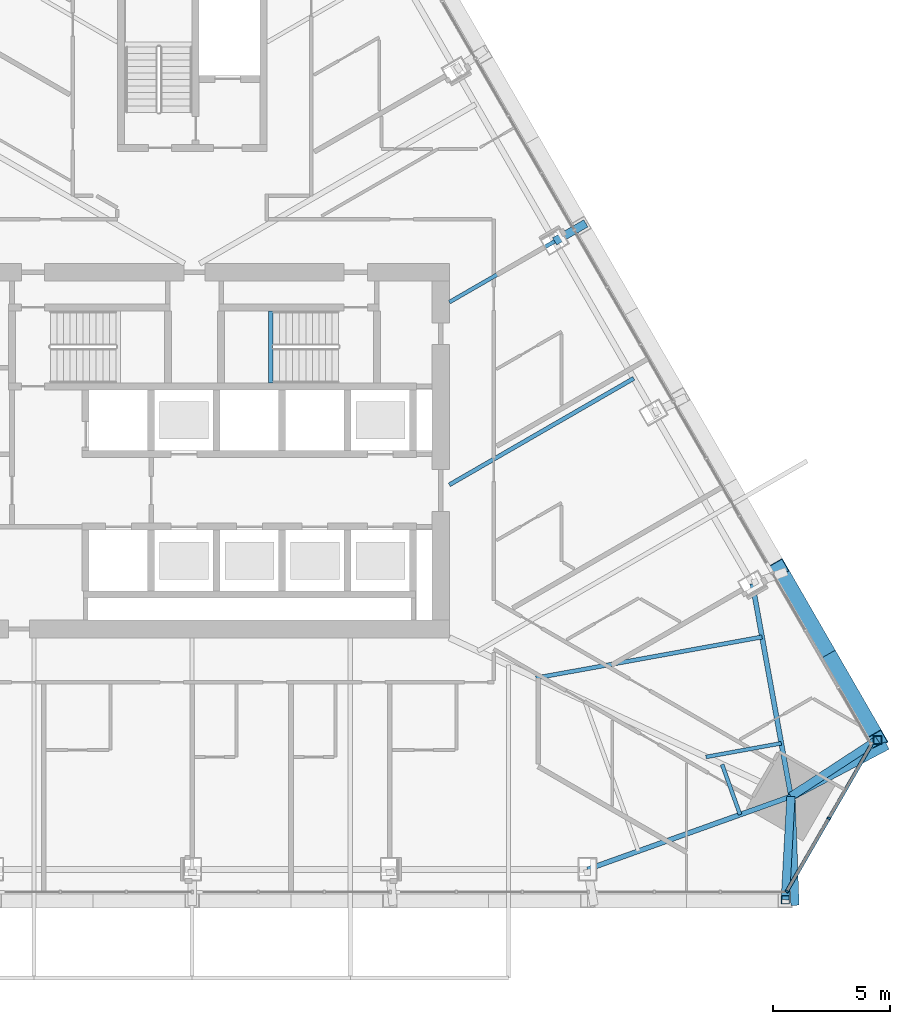
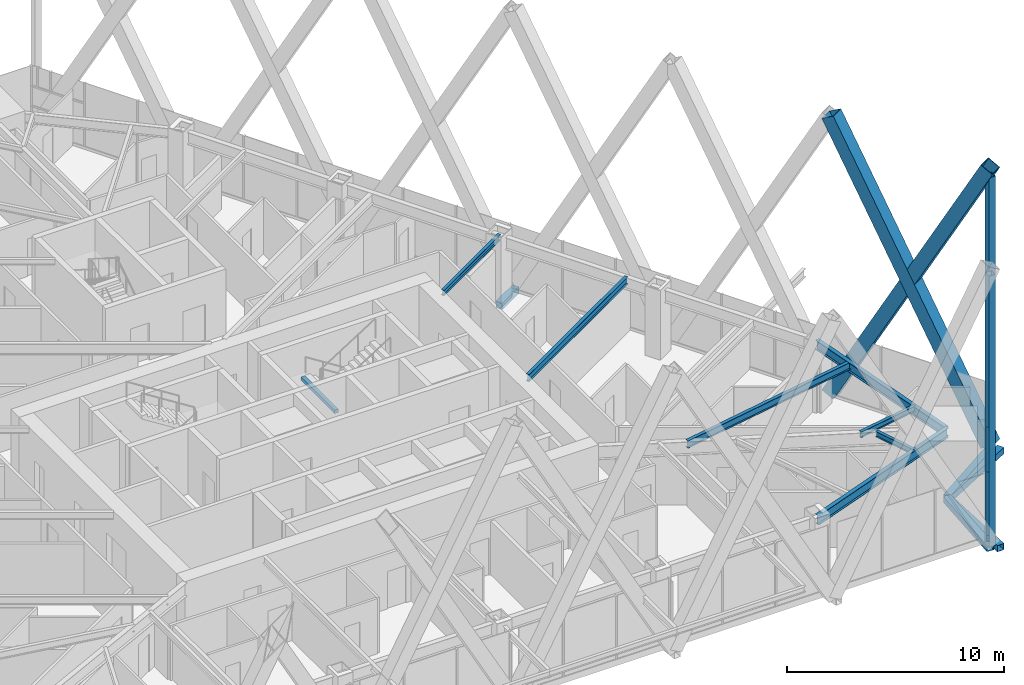
# One storey, part 7 of 19: 12 members, 8 beams, 1 element without a shape of its own.
"""IFC4 building model written with IfcOpenShell, lengths in metres."""

from ifc_helpers import new_model, si_unit, direction, frame, origin, origin_2d, place, context, subcontext, project, spatial, rectangle, hollow_rectangle, i_section, extrude, material, layer, layer_set, material_profile, profile_set, type_object, element, aggregate, save


model = new_model("IFC4")

# Units and contexts
model_context = context("Model", 3, precision=1e-05, world=origin(), true_north=direction((0.0, 1.0)))
body_context = subcontext(model_context, "Body", "Model", "MODEL_VIEW")
ifc_project = project(units=[si_unit("LENGTHUNIT", "METRE"), si_unit("AREAUNIT", "SQUARE_METRE"), si_unit("VOLUMEUNIT", "CUBIC_METRE"), si_unit("PLANEANGLEUNIT", "RADIAN"), si_unit("MASSUNIT", "GRAM", prefix="KILO")], contexts=[model_context])

# Site, building, storey
site_placement = place(None, origin())
site = spatial("IfcSite", under=ifc_project, at=site_placement, CompositionType="ELEMENT")
building_placement = place(site_placement, origin())
building = spatial("IfcBuilding", under=site, at=building_placement, Name="Firuza Gate Tower and Library", CompositionType="ELEMENT")
storey_placement = place(building_placement, frame((0.0, 0.0, 218.199951171875)))
storey = spatial("IfcBuildingStorey", under=building, at=storey_placement, Name="L51", CompositionType="ELEMENT", Elevation=218.199951171875)

# Members
ifc_material_1 = material(Name="Steel S355", Category="steel")
ifc_material_profile_1 = material_profile(ifc_material_1, hollow_rectangle(XDim=0.699951171875, YDim=0.699951171875, WallThickness=0.030029296875, at=origin_2d()))
ifc_profile_set_1 = profile_set([ifc_material_profile_1], Name="Steel S355")
member_type_1 = type_object("IfcMemberType", Name="BU700x700x30 Lattice brace", PredefinedType="BRACE", material=ifc_profile_set_1)
for number, where, z_axis, x_axis, name in (
    (1, (104.3134765625, 62.6328125, 0.0), (-0.238274557402, 0.412680856607, 0.879158544225), (-0.866013450987, -0.50002070228, 0.0), "Lattice brace E 12.1R"),
    (2, (100.08544921875, 69.95556640625, 0.0), (0.238274557402, -0.412680856607, 0.879158544225), (0.866013450987, 0.50002070228, 0.0), "Lattice brace E 12.1L"),
):
    element("IfcMember", number, at=place(storey_placement, frame(where, z_axis=z_axis, x_axis=x_axis)), inside=storey, type_object=member_type_1, Name=name, PredefinedType="BRACE", context=body_context, shape_type="SweptSolid", body=[
        extrude(hollow_rectangle(XDim=0.699951171875, YDim=0.699951171875, WallThickness=0.030029296875, at=origin_2d()), origin(), (0.0, 0.0, 1.0), 17.744384765625),
    ])

# Curtain wall, members
ifc_material_2 = material(Name="Aluminium 6063-T6", Category="aluminium")
ifc_layer = layer(ifc_material_2, 0.14990234375)
ifc_layer_set = layer_set([ifc_layer], Name="Corner curtain wall, chamfers")
curtain_wall_type = type_object("IfcCurtainWallType", Name="Corner curtain wall, chamfers", PredefinedType="NOTDEFINED", material=ifc_layer_set)
curtain_wall_placement = place(storey_placement, origin())
curtain_wall = element("IfcCurtainWall", 3, at=curtain_wall_placement, inside=storey, type_object=curtain_wall_type, Name="CW4 L51 SE corner", PredefinedType="NOTDEFINED")
ifc_material_3 = material(Name="Aluminium 6063-T6", Category="aluminium")
ifc_material_profile_2 = material_profile(ifc_material_3, rectangle(XDim=0.14990234375, YDim=0.080078125, at=origin_2d()))
ifc_profile_set_2 = profile_set([ifc_material_profile_2], Name="Aluminium 6063-T6")
member_type_2 = type_object("IfcMemberType", Name="Curtain wall mullion 80x150", PredefinedType="MULLION", material=ifc_profile_set_2)
member_1_placement = place(storey_placement, frame((100.43017578125, 56.156982421875, 0.150146484375), z_axis=(0.0, 0.0, 1.0), x_axis=(-0.866025403784, 0.5, 0.0)))
member_1 = element("IfcMember", 4, at=member_1_placement, type_object=member_type_2, Name="Mullion", PredefinedType="MULLION", context=body_context, shape_type="SweptSolid", body=[
    extrude(rectangle(XDim=0.14990234375, YDim=0.080078125, at=origin_2d()), origin(), (0.0, 0.0, 1.0), 3.5498046875),
])
member_2_placement = place(storey_placement, frame((102.23193359375, 59.277587890625, 0.150146484375), z_axis=(0.0, 0.0, 1.0), x_axis=(-0.866025403784, 0.5, 0.0)))
member_2 = element("IfcMember", 5, at=member_2_placement, type_object=member_type_2, Name="Mullion", PredefinedType="MULLION", context=body_context, shape_type="SweptSolid", body=[
    extrude(rectangle(XDim=0.14990234375, YDim=0.080078125, at=origin_2d()), origin(), (0.0, 0.0, 1.0), 3.5498046875),
])
ifc_material_4 = material(Name="Aluminium 6063-T6", Category="aluminium")
ifc_material_profile_3 = material_profile(ifc_material_4, rectangle(XDim=0.14990234375, YDim=0.35009765625, at=origin_2d()))
ifc_profile_set_3 = profile_set([ifc_material_profile_3], Name="Aluminium 6063-T6")
member_type_3 = type_object("IfcMemberType", Name="Curtain wall transom 350x150", PredefinedType="USERDEFINED", material=ifc_profile_set_3)
member_3_placement = place(storey_placement, frame((100.410400390625, 56.12255859375, -0.02490234375), z_axis=(0.500005719219, 0.866022101766, 0.0), x_axis=(-0.866022101766, 0.500005719219, 0.0)))
member_3 = element("IfcMember", 6, at=member_3_placement, type_object=member_type_3, Name="Transom", ObjectType="TRANSOM", PredefinedType="USERDEFINED", context=body_context, shape_type="SweptSolid", body=[
    extrude(rectangle(XDim=0.14990234375, YDim=0.35009765625, at=origin_2d()), origin(), (0.0, 0.0, 1.0), 7.28662109375),
])
aggregate(curtain_wall, [member_1, member_2, member_3])

# Members
ifc_material_5 = material(Name="Steel S355", Category="steel")
ifc_material_profile_4 = material_profile(ifc_material_5, hollow_rectangle(XDim=0.355712890625, YDim=0.355712890625, WallThickness=0.014892578125, at=origin_2d()))
ifc_profile_set_4 = profile_set([ifc_material_profile_4], Name="Steel S355")
member_type_4 = type_object("IfcMemberType", Name="HSS356x356x16 Lattice corner stile", PredefinedType="BRACE", material=ifc_profile_set_4)
for number, where, z_axis, x_axis, name in (
    (7, (100.366943359375, 55.79736328125, -0.139892578125), (0.0, 0.0, 1.0), (1.0, 0.0, 0.0), "Lattice corner stile S 12.B"),
    (8, (104.3134765625, 62.6328125, -0.139892578125), (0.0, 0.0, 1.0), (1.0, 0.0, 0.0), "Lattice corner stile E 12.A"),
):
    element("IfcMember", number, at=place(storey_placement, frame(where, z_axis=z_axis, x_axis=x_axis)), inside=storey, type_object=member_type_4, Name=name, PredefinedType="BRACE", context=body_context, shape_type="SweptSolid", body=[
        extrude(hollow_rectangle(XDim=0.355712890625, YDim=0.355712890625, WallThickness=0.014892578125, at=origin_2d()), origin(), (0.0, 0.0, 1.0), 15.239990234375),
    ])
ifc_material_6 = material(Name="Steel S355", Category="steel")
ifc_material_profile_5 = material_profile(ifc_material_6, hollow_rectangle(XDim=0.355712890625, YDim=0.355712890625, WallThickness=0.014892578125, at=origin_2d()))
ifc_profile_set_5 = profile_set([ifc_material_profile_5], Name="Steel S355")
member_type_5 = type_object("IfcMemberType", Name="HSS356x356x16 Lattice node tie", PredefinedType="BRACE", material=ifc_profile_set_5)
member_4_placement = place(storey_placement, frame((90.504150390625, 83.951171875, -0.320068359375), z_axis=(0.865939883869, 0.500148095592, 0.0), x_axis=(-0.500148095592, 0.865939883869, 0.0)))
element("IfcMember", 9, at=member_4_placement, inside=storey, type_object=member_type_5, Name="Lattice node tie E L51 266", PredefinedType="BRACE", context=body_context, shape_type="SweptSolid", body=[
    extrude(hollow_rectangle(XDim=0.355712890625, YDim=0.355712890625, WallThickness=0.014892578125, at=origin_2d()), origin(), (0.0, 0.0, 1.0), 1.5390625),
])
member_5_placement = place(storey_placement, frame((100.608154296875, 60.215087890625, -0.320068359375), z_axis=(0.883999373818, 0.467488082296, 0.0), x_axis=(-0.467488082296, 0.883999373818, 0.0)))
element("IfcMember", 10, at=member_5_placement, inside=storey, type_object=member_type_5, Name="Lattice node tie E L51 269", PredefinedType="BRACE", context=body_context, shape_type="SweptSolid", body=[
    extrude(hollow_rectangle(XDim=0.355712890625, YDim=0.355712890625, WallThickness=0.014892578125, at=origin_2d()), origin(), (0.0, 0.0, 1.0), 4.659912109375),
])
member_6_placement = place(storey_placement, frame((100.608154296875, 60.215087890625, -0.320068359375), z_axis=(0.837485429113, 0.546459656355, 0.0), x_axis=(-0.546459656355, 0.837485429113, 0.0)))
element("IfcMember", 11, at=member_6_placement, inside=storey, type_object=member_type_5, Name="Lattice node tie E L51 270", PredefinedType="BRACE", context=body_context, shape_type="SweptSolid", body=[
    extrude(hollow_rectangle(XDim=0.355712890625, YDim=0.355712890625, WallThickness=0.014892578125, at=origin_2d()), origin(), (0.0, 0.0, 1.0), 4.42431640625),
])
member_7_placement = place(storey_placement, frame((100.608154296875, 60.215087890625, -0.320068359375), z_axis=(0.037145365408, -0.999309872777, 0.0), x_axis=(0.999309872777, 0.037145365408, 0.0)))
element("IfcMember", 12, at=member_7_placement, inside=storey, type_object=member_type_5, Name="Lattice node tie S L51 278", PredefinedType="BRACE", context=body_context, shape_type="SweptSolid", body=[
    extrude(hollow_rectangle(XDim=0.355712890625, YDim=0.355712890625, WallThickness=0.014892578125, at=origin_2d()), origin(), (0.0, 0.0, 1.0), 4.659912109375),
])
member_8_placement = place(storey_placement, frame((100.608154296875, 60.215087890625, -0.320068359375), z_axis=(-0.054519511079, -0.998512705433, 0.0), x_axis=(0.998512705433, -0.054519511079, 0.0)))
element("IfcMember", 13, at=member_8_placement, inside=storey, type_object=member_type_5, Name="Lattice node tie S L51 279", PredefinedType="BRACE", context=body_context, shape_type="SweptSolid", body=[
    extrude(hollow_rectangle(XDim=0.355712890625, YDim=0.355712890625, WallThickness=0.014892578125, at=origin_2d()), origin(), (0.0, 0.0, 1.0), 4.42431640625),
])

# Beams
ifc_material_7 = material(Name="Concrete C35/45", Category="concrete")
ifc_material_profile_6 = material_profile(ifc_material_7, rectangle(XDim=0.199951171875, YDim=0.199951171875, at=origin_2d()))
ifc_profile_set_6 = profile_set([ifc_material_profile_6], Name="Concrete C35/45")
beam_type_1 = type_object("IfcBeamType", Name="Stair landing bearer 200x200", PredefinedType="BEAM", material=ifc_profile_set_6)
beam_1_placement = place(storey_placement, frame((78.360107421875, 80.97998046875, 1.650146484375), z_axis=(0.0, -1.0, 0.0), x_axis=(1.0, 0.0, 0.0)))
element("IfcBeam", 14, at=beam_1_placement, inside=storey, type_object=beam_type_1, Name="Landing bearer L51 stair 2", PredefinedType="BEAM", context=body_context, shape_type="SweptSolid", body=[
    extrude(rectangle(XDim=0.199951171875, YDim=0.199951171875, at=origin_2d()), origin(), (0.0, 0.0, 1.0), 3.080078125),
])
ifc_material_8 = material(Name="Steel S355", Category="steel")
ifc_material_profile_7 = material_profile(ifc_material_8, i_section(OverallWidth=0.1650390625, OverallDepth=0.31005859375, WebThickness=0.005859375, FlangeThickness=0.009765625, at=origin_2d()))
ifc_profile_set_7 = profile_set([ifc_material_profile_7], Name="Steel S355")
beam_type_2 = type_object("IfcBeamType", Name="W310x39 Floor beam", PredefinedType="JOIST", material=ifc_profile_set_7)
beam_2_placement = place(storey_placement, frame((98.433837890625, 59.435791015625, 3.545166015625), z_axis=(-0.337475616442, 0.941334270229, 0.0), x_axis=(-0.941334270229, -0.337475616442, 0.0)))
element("IfcBeam", 15, at=beam_2_placement, inside=storey, type_object=beam_type_2, Name="Floor beam L51 s31", PredefinedType="JOIST", context=body_context, shape_type="SweptSolid", body=[
    extrude(i_section(OverallWidth=0.1650390625, OverallDepth=0.31005859375, WebThickness=0.005859375, FlangeThickness=0.009765625, at=origin_2d()), origin(), (0.0, 0.0, 1.0), 2.2802734375),
])
beam_3_placement = place(storey_placement, frame((100.196044921875, 62.48779296875, 3.545166015625), z_axis=(-0.983948530729, -0.178452483528, 0.0), x_axis=(0.178452483528, -0.983948530729, 0.0)))
element("IfcBeam", 16, at=beam_3_placement, inside=storey, type_object=beam_type_2, Name="Floor beam L51 s40", PredefinedType="JOIST", context=body_context, shape_type="SweptSolid", body=[
    extrude(i_section(OverallWidth=0.1650390625, OverallDepth=0.31005859375, WebThickness=0.005859375, FlangeThickness=0.009765625, at=origin_2d()), origin(), (0.0, 0.0, 1.0), 3.275146484375),
])
beam_4_placement = place(storey_placement, frame((90.504150390625, 83.951171875, 3.545166015625), z_axis=(-0.866036280653, -0.499981160238, 0.0), x_axis=(0.499981160238, -0.866036280653, 0.0)))
element("IfcBeam", 17, at=beam_4_placement, inside=storey, type_object=beam_type_2, Name="Floor beam L51 s52", PredefinedType="JOIST", context=body_context, shape_type="SweptSolid", body=[
    extrude(i_section(OverallWidth=0.1650390625, OverallDepth=0.31005859375, WebThickness=0.005859375, FlangeThickness=0.009765625, at=origin_2d()), origin(), (0.0, 0.0, 1.0), 5.200927734375),
])
ifc_material_9 = material(Name="Steel S355", Category="steel")
ifc_material_profile_8 = material_profile(ifc_material_9, i_section(OverallWidth=0.177978515625, OverallDepth=0.406982421875, WebThickness=0.0078125, FlangeThickness=0.0126953125, at=origin_2d()))
ifc_profile_set_8 = profile_set([ifc_material_profile_8], Name="Steel S355")
beam_type_3 = type_object("IfcBeamType", Name="W410x60 Floor beam", PredefinedType="JOIST", material=ifc_profile_set_8)
beam_5_placement = place(storey_placement, frame((99.371826171875, 67.032958984375, 3.49658203125), z_axis=(-0.98395368435, -0.178424065234, 0.0), x_axis=(0.178424065234, -0.98395368435, 0.0)))
element("IfcBeam", 18, at=beam_5_placement, inside=storey, type_object=beam_type_3, Name="Floor beam L51 s41", PredefinedType="JOIST", context=body_context, shape_type="SweptSolid", body=[
    extrude(i_section(OverallWidth=0.177978515625, OverallDepth=0.406982421875, WebThickness=0.0078125, FlangeThickness=0.0126953125, at=origin_2d()), origin(), (0.0, 0.0, 1.0), 9.825927734375),
])
beam_6_placement = place(storey_placement, frame((93.88623046875, 78.093017578125, 3.49658203125), z_axis=(-0.86602039319, -0.500008678503, 0.0), x_axis=(0.500008678503, -0.86602039319, 0.0)))
element("IfcBeam", 19, at=beam_6_placement, inside=storey, type_object=beam_type_3, Name="Floor beam L51 s51", PredefinedType="JOIST", context=body_context, shape_type="SweptSolid", body=[
    extrude(i_section(OverallWidth=0.177978515625, OverallDepth=0.406982421875, WebThickness=0.0078125, FlangeThickness=0.0126953125, at=origin_2d()), origin(), (0.0, 0.0, 1.0), 9.106201171875),
])
ifc_material_10 = material(Name="Steel S355", Category="steel")
ifc_material_profile_9 = material_profile(ifc_material_10, i_section(OverallWidth=0.212890625, OverallDepth=0.5390625, WebThickness=0.01171875, FlangeThickness=0.018798828125, at=origin_2d()))
ifc_profile_set_9 = profile_set([ifc_material_profile_9], Name="Steel S355")
beam_type_4 = type_object("IfcBeamType", Name="W530x109 Edge beam", PredefinedType="SPANDREL", material=ifc_profile_set_9)
for number, where, z_axis, x_axis, name in (
    (20, (91.911376953125, 57.097412109375, 3.4306640625), (0.941340671255, 0.337457761269, 0.0), (-0.337457761269, 0.941340671255, 0.0), "Edge beam L51 e30"),
    (21, (100.608154296875, 60.215087890625, 3.4306640625), (-0.178424980687, 0.983953518347, 0.0), (-0.983953518347, -0.178424980687, 0.0), "Edge beam L51 e40"),
):
    element("IfcBeam", number, at=place(storey_placement, frame(where, z_axis=z_axis, x_axis=x_axis)), inside=storey, type_object=beam_type_4, Name=name, PredefinedType="SPANDREL", context=body_context, shape_type="SweptSolid", body=[
        extrude(i_section(OverallWidth=0.212890625, OverallDepth=0.5390625, WebThickness=0.01171875, FlangeThickness=0.018798828125, at=origin_2d()), origin(), (0.0, 0.0, 1.0), 9.23876953125),
    ])

save(model, "model.ifc")
